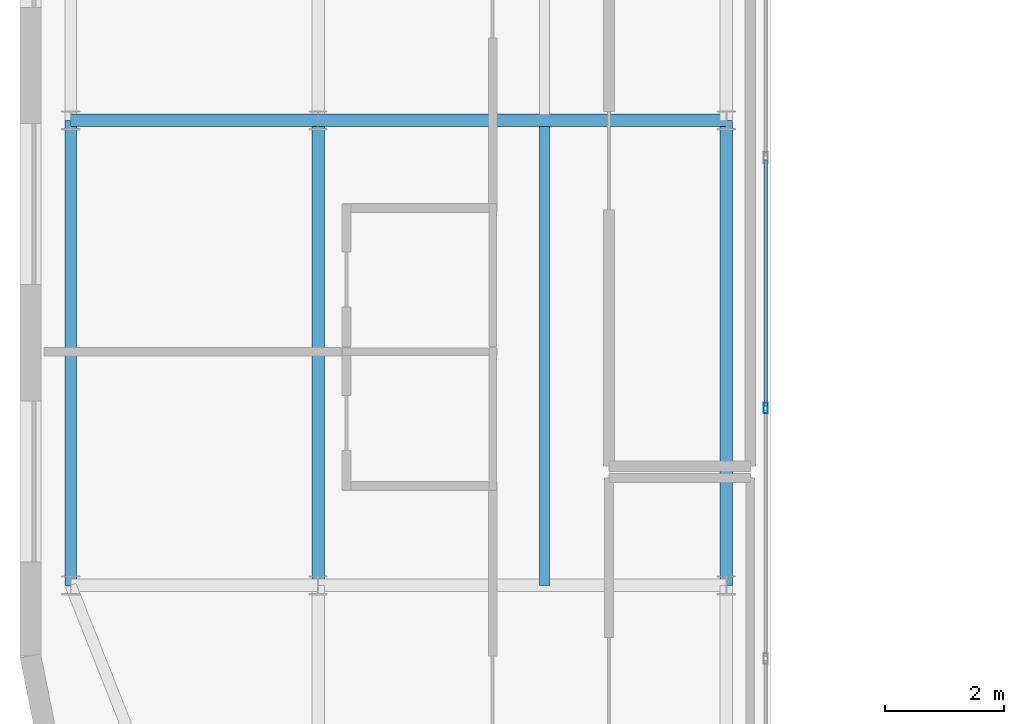
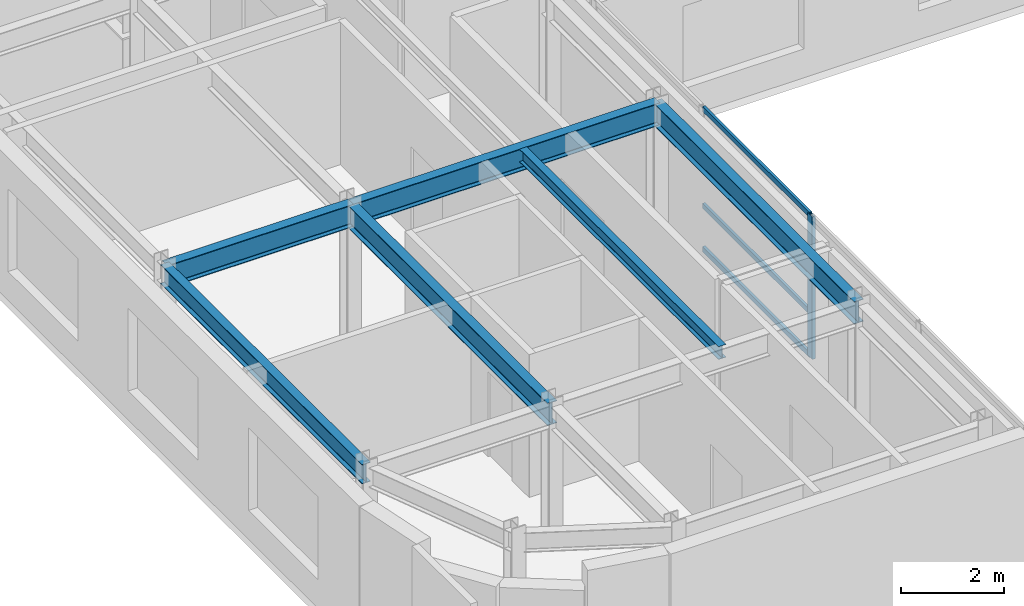
# One storey, part 5 of 18: 6 beams, 4 members, 1 element without a shape of its own.
"""IFC4 building model written with IfcOpenShell, lengths in metres."""

from ifc_helpers import new_model, si_unit, direction, frame, origin, origin_2d, place, context, subcontext, project, spatial, hollow_rectangle, i_section, extrude, source, transform, mapped, material, layer, layer_set, material_profile, profile_set, type_object, type_shapes, element, aggregate, save


model = new_model("IFC4")

# Units and contexts
model_context = context("Model", 3, precision=1e-05, world=origin(), true_north=direction((0.0, 1.0)))
body_context = subcontext(model_context, "Body", "Model", "MODEL_VIEW")
ifc_project = project(units=[si_unit("LENGTHUNIT", "METRE"), si_unit("AREAUNIT", "SQUARE_METRE"), si_unit("VOLUMEUNIT", "CUBIC_METRE"), si_unit("PLANEANGLEUNIT", "RADIAN"), si_unit("MASSUNIT", "GRAM", prefix="KILO")], contexts=[model_context])

# Site, building, storey
site_placement = place(None, origin())
site = spatial("IfcSite", under=ifc_project, at=site_placement, CompositionType="ELEMENT")
building_placement = place(site_placement, origin())
building = spatial("IfcBuilding", under=site, at=building_placement, Name="Tolvann Quenvar Hotel", CompositionType="ELEMENT")
storey_placement = place(building_placement, frame((0.0, 0.0, 259.39990234375)))
storey = spatial("IfcBuildingStorey", under=building, at=storey_placement, Name="L69", CompositionType="ELEMENT", Elevation=259.39990234375)

# Beams
ifc_material_1 = material(Name="Steel Grade 350", Category="steel")
ifc_material_profile_1 = material_profile(ifc_material_1, i_section(OverallWidth=0.208984375, OverallDepth=0.532958984375, WebThickness=0.01025390625, FlangeThickness=0.015625, FilletRadius=0.013916015625, at=origin_2d()), Name="530UB92")
ifc_profile_set_1 = profile_set([ifc_material_profile_1], Name="Steel Grade 350")
beam_type_1 = type_object("IfcBeamType", Name="BM_GIRD_530UB92", PredefinedType="BEAM", material=ifc_profile_set_1)
shared_shape_1 = source(origin(), body_context, "Body", "SweptSolid", [
    extrude(i_section(OverallWidth=0.208984375, OverallDepth=0.532958984375, WebThickness=0.01025390625, FlangeThickness=0.015625, FilletRadius=0.013916015625, at=origin_2d()), origin(), (0.0, 0.0, 1.0), 7.800048828125),
])
for number, where, z_axis, x_axis, name in (
    (1, (7.60009765625, 8.199951171875, 3.103515625), (0.0, 1.0, 0.0), (-1.0, 0.0, 0.0), "BM-L69-NS-C3-C4"),
    (2, (14.449951171875, 8.199951171875, 3.103515625), (0.0, 1.0, 0.0), (-1.0, 0.0, 0.0), "BM-L69-NS-D3-D4"),
):
    element("IfcBeam", number, at=place(storey_placement, frame(where, z_axis=z_axis, x_axis=x_axis)), inside=storey, type_object=beam_type_1, Name=name, PredefinedType="BEAM", context=body_context, shape_type="MappedRepresentation", body=[
        mapped(shared_shape_1, transform((0.0, 0.0, 0.0), x_axis=(1.0, 0.0, 0.0), y_axis=(0.0, 1.0, 0.0), z_axis=(0.0, 0.0, 1.0), scale=1.0)),
    ])
ifc_material_profile_2 = material_profile(ifc_material_1, i_section(OverallWidth=0.19091796875, OverallDepth=0.4599609375, WebThickness=0.010009765625, FlangeThickness=0.01611328125, FilletRadius=0.011474609375, at=origin_2d()), Name="460UB82")
ifc_profile_set_2 = profile_set([ifc_material_profile_2], Name="Steel Grade 350")
beam_type_2 = type_object("IfcBeamType", Name="BM_SPAND_460UB82", PredefinedType="SPANDREL", material=ifc_profile_set_2)
shared_shape_2 = source(origin(), body_context, "Body", "SweptSolid", [
    extrude(i_section(OverallWidth=0.19091796875, OverallDepth=0.4599609375, WebThickness=0.010009765625, FlangeThickness=0.01611328125, FilletRadius=0.011474609375, at=origin_2d()), origin(), (0.0, 0.0, 1.0), 7.800048828125),
])
type_shapes(beam_type_2, [shared_shape_2])
beam_1_placement = place(storey_placement, frame((3.449951171875, 8.199951171875, 3.14013671875), z_axis=(0.0, 1.0, 0.0), x_axis=(-1.0, 0.0, 0.0)))
element("IfcBeam", 3, at=beam_1_placement, inside=storey, type_object=beam_type_2, Name="BM-L69-NS-B3-B4", PredefinedType="SPANDREL", context=body_context, shape_type="MappedRepresentation", body=[
    mapped(shared_shape_2, transform((0.0, 0.0, 0.0), x_axis=(1.0, 0.0, 0.0), y_axis=(0.0, 1.0, 0.0), z_axis=(0.0, 0.0, 1.0), scale=1.0)),
])
shared_shape_3 = source(origin(), body_context, "Body", "SweptSolid", [
    extrude(i_section(OverallWidth=0.208984375, OverallDepth=0.532958984375, WebThickness=0.01025390625, FlangeThickness=0.015625, FilletRadius=0.013916015625, at=origin_2d()), origin(), (0.0, 0.0, 1.0), 4.150146484375),
])
beam_2_placement = place(storey_placement, frame((3.449951171875, 16.0, 3.103515625), z_axis=(1.0, 0.0, 0.0), x_axis=(0.0, 1.0, 0.0)))
element("IfcBeam", 4, at=beam_2_placement, inside=storey, type_object=beam_type_1, Name="BM-L69-EW-4-B4-C4", PredefinedType="BEAM", context=body_context, shape_type="MappedRepresentation", body=[
    mapped(shared_shape_3, transform((0.0, 0.0, 0.0), x_axis=(1.0, 0.0, 0.0), y_axis=(0.0, 1.0, 0.0), z_axis=(0.0, 0.0, 1.0), scale=1.0)),
])
shared_shape_4 = source(origin(), body_context, "Body", "SweptSolid", [
    extrude(i_section(OverallWidth=0.208984375, OverallDepth=0.532958984375, WebThickness=0.01025390625, FlangeThickness=0.015625, FilletRadius=0.013916015625, at=origin_2d()), origin(), (0.0, 0.0, 1.0), 6.849853515625),
])
type_shapes(beam_type_1, [shared_shape_1, shared_shape_3, shared_shape_4])
beam_3_placement = place(storey_placement, frame((7.60009765625, 16.0, 3.103515625), z_axis=(1.0, 0.0, 0.0), x_axis=(0.0, 1.0, 0.0)))
element("IfcBeam", 5, at=beam_3_placement, inside=storey, type_object=beam_type_1, Name="BM-L69-EW-4-C4-D4", PredefinedType="BEAM", context=body_context, shape_type="MappedRepresentation", body=[
    mapped(shared_shape_4, transform((0.0, 0.0, 0.0), x_axis=(1.0, 0.0, 0.0), y_axis=(0.0, 1.0, 0.0), z_axis=(0.0, 0.0, 1.0), scale=1.0)),
])
ifc_material_profile_3 = material_profile(ifc_material_1, i_section(OverallWidth=0.166015625, OverallDepth=0.306884765625, WebThickness=0.006591796875, FlangeThickness=0.01171875, FilletRadius=0.011474609375, at=origin_2d()), Name="310UB46")
ifc_profile_set_3 = profile_set([ifc_material_profile_3], Name="Steel Grade 350")
beam_type_3 = type_object("IfcBeamType", Name="BM_JOIST_310UB46", PredefinedType="JOIST", material=ifc_profile_set_3)
shared_shape_5 = source(origin(), body_context, "Body", "SweptSolid", [
    extrude(i_section(OverallWidth=0.166015625, OverallDepth=0.306884765625, WebThickness=0.006591796875, FlangeThickness=0.01171875, FilletRadius=0.011474609375, at=origin_2d()), origin(), (0.0, 0.0, 1.0), 7.70166015625),
])
type_shapes(beam_type_3, [shared_shape_5])
beam_4_placement = place(storey_placement, frame((11.39990234375, 8.199951171875, 3.216552734375), z_axis=(0.0, 1.0, 0.0), x_axis=(-1.0, 0.0, 0.0)))
element("IfcBeam", 6, at=beam_4_placement, inside=storey, type_object=beam_type_3, Name="BJ-L69-114-82", PredefinedType="JOIST", context=body_context, shape_type="MappedRepresentation", body=[
    mapped(shared_shape_5, transform((0.0, 0.0, 0.0), x_axis=(1.0, 0.0, 0.0), y_axis=(0.0, 1.0, 0.0), z_axis=(0.0, 0.0, 1.0), scale=1.0)),
])

# Curtain wall, members
ifc_material_2 = material(Name="Thermally broken anodised architectural aluminium 6063-T6 and laminated low-E glass", Category="aluminium")
ifc_layer = layer(ifc_material_2, 0.179931640625)
ifc_layer_set = layer_set([ifc_layer], Name="Thermally broken anodised architectural aluminium 6063-T6 and laminated low-E glass")
curtain_wall_type = type_object("IfcCurtainWallType", Name="CW_SYS_PORTAL_05", PredefinedType="USERDEFINED", material=ifc_layer_set)
curtain_wall_placement = place(storey_placement, origin())
curtain_wall = element("IfcCurtainWall", 7, at=curtain_wall_placement, inside=storey, type_object=curtain_wall_type, Name="Curtain Wall CW-PORTAL-05 (CWR-L69-E05)", ObjectType="UNITISED CURTAIN WALL", PredefinedType="USERDEFINED")
ifc_material_3 = material(Name="Anodised architectural aluminium 6063-T6 framing", Category="aluminium")
ifc_material_profile_4 = material_profile(ifc_material_3, hollow_rectangle(XDim=0.070068359375, YDim=0.179931640625, WallThickness=0.00390625, at=origin_2d()), Name="180x70x4RHS")
ifc_profile_set_4 = profile_set([ifc_material_profile_4], Name="Anodised architectural aluminium 6063-T6 framing")
member_type_1 = type_object("IfcMemberType", Name="CW_MULL_180x70", PredefinedType="MULLION", material=ifc_profile_set_4)
shared_shape_6 = source(origin(), body_context, "Body", "SweptSolid", [
    extrude(hollow_rectangle(XDim=0.070068359375, YDim=0.179931640625, WallThickness=0.00390625, at=origin_2d()), origin(), (0.0, 0.0, 1.0), 3.3701171875),
])
type_shapes(member_type_1, [shared_shape_6])
member_1_placement = place(storey_placement, frame((15.110107421875, 11.175048828125, 0.0), z_axis=(0.0, 0.0, 1.0), x_axis=(-1.0, 0.0, 0.0)))
member_1 = element("IfcMember", 8, at=member_1_placement, type_object=member_type_1, Name="CW-PORTAL-05 mullion 3", PredefinedType="MULLION", context=body_context, shape_type="MappedRepresentation", body=[
    mapped(shared_shape_6, transform((0.0, 0.0, 0.0), x_axis=(1.0, 0.0, 0.0), y_axis=(0.0, 1.0, 0.0), z_axis=(0.0, 0.0, 1.0), scale=1.0)),
])
ifc_material_profile_5 = material_profile(ifc_material_3, hollow_rectangle(XDim=0.06005859375, YDim=0.1201171875, WallThickness=0.00341796875, at=origin_2d()), Name="120x60x3.5RHS")
ifc_profile_set_5 = profile_set([ifc_material_profile_5], Name="Anodised architectural aluminium 6063-T6 framing")
member_type_2 = type_object("IfcMemberType", Name="CW_TRAN_120x60", PredefinedType="USERDEFINED", material=ifc_profile_set_5)
shared_shape_7 = source(origin(), body_context, "Body", "SweptSolid", [
    extrude(hollow_rectangle(XDim=0.06005859375, YDim=0.1201171875, WallThickness=0.00341796875, at=origin_2d()), origin(), (0.0, 0.0, 1.0), 4.130126953125),
])
type_shapes(member_type_2, [shared_shape_7])
member_2_placement = place(storey_placement, frame((15.110107421875, 11.2099609375, 0.030029296875), z_axis=(0.0, 1.0, 0.0), x_axis=(-1.0, 0.0, 0.0)))
member_2 = element("IfcMember", 9, at=member_2_placement, type_object=member_type_2, Name="CW-PORTAL-05 transom 3.1", ObjectType="TRANSOM", PredefinedType="USERDEFINED", context=body_context, shape_type="MappedRepresentation", body=[
    mapped(shared_shape_7, transform((0.0, 0.0, 0.0), x_axis=(1.0, 0.0, 0.0), y_axis=(0.0, 1.0, 0.0), z_axis=(0.0, 0.0, 1.0), scale=1.0)),
])
member_3_placement = place(storey_placement, frame((15.110107421875, 11.2099609375, 1.050048828125), z_axis=(0.0, 1.0, 0.0), x_axis=(-1.0, 0.0, 0.0)))
member_3 = element("IfcMember", 10, at=member_3_placement, type_object=member_type_2, Name="CW-PORTAL-05 transom 3.2", ObjectType="TRANSOM", PredefinedType="USERDEFINED", context=body_context, shape_type="MappedRepresentation", body=[
    mapped(shared_shape_7, transform((0.0, 0.0, 0.0), x_axis=(1.0, 0.0, 0.0), y_axis=(0.0, 1.0, 0.0), z_axis=(0.0, 0.0, 1.0), scale=1.0)),
])
member_4_placement = place(storey_placement, frame((15.110107421875, 11.2099609375, 3.340087890625), z_axis=(0.0, 1.0, 0.0), x_axis=(-1.0, 0.0, 0.0)))
member_4 = element("IfcMember", 11, at=member_4_placement, type_object=member_type_2, Name="CW-PORTAL-05 transom 3.3", ObjectType="TRANSOM", PredefinedType="USERDEFINED", context=body_context, shape_type="MappedRepresentation", body=[
    mapped(shared_shape_7, transform((0.0, 0.0, 0.0), x_axis=(1.0, 0.0, 0.0), y_axis=(0.0, 1.0, 0.0), z_axis=(0.0, 0.0, 1.0), scale=1.0)),
])
aggregate(curtain_wall, [member_1, member_2, member_3, member_4])

save(model, "model.ifc")
